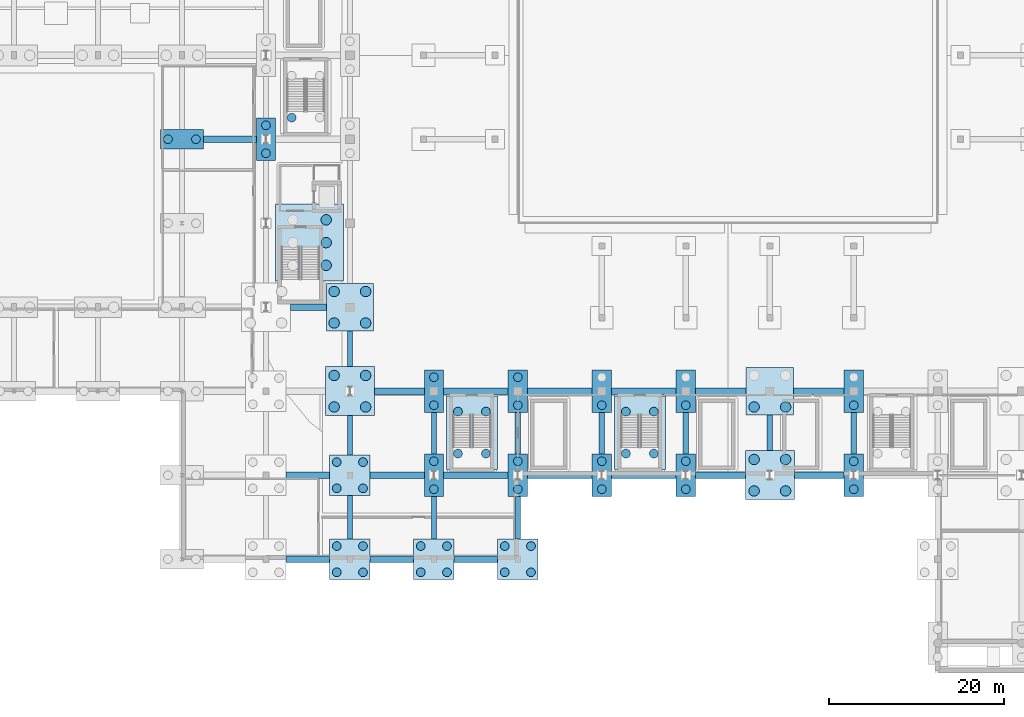
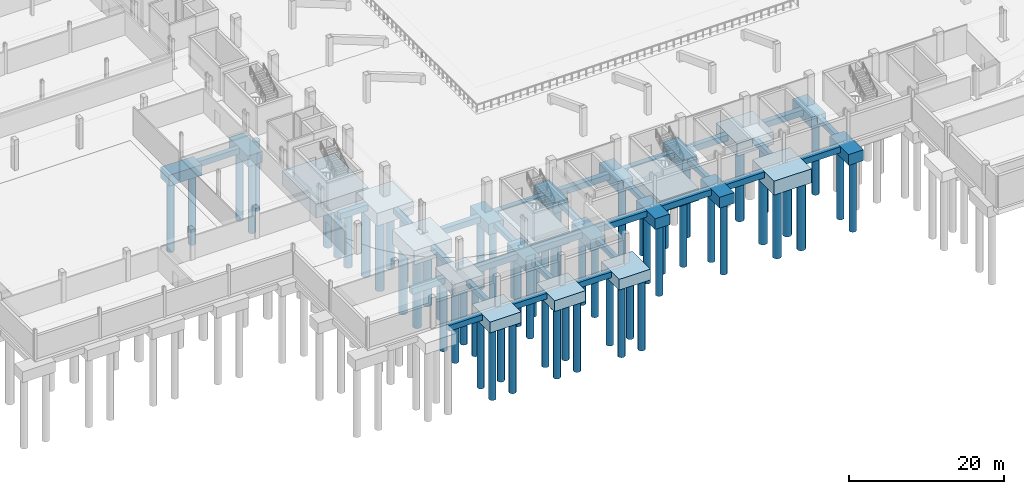
# One storey, part 2 of 67: 63 piles, 52 footings.
"""IFC4 building model written with IfcOpenShell, lengths in metres."""

from ifc_helpers import new_model, si_unit, direction, frame, origin, origin_2d, place, context, subcontext, project, spatial, polyline, rectangle, circle, outline, extrude, material, material_profile, profile_set, type_object, element, save


model = new_model("IFC4")

# Units and contexts
model_context = context("Model", 3, precision=1e-05, world=origin(), true_north=direction((0.0, 1.0)))
body_context = subcontext(model_context, "Body", "Model", "MODEL_VIEW")
ifc_project = project(units=[si_unit("LENGTHUNIT", "METRE"), si_unit("AREAUNIT", "SQUARE_METRE"), si_unit("VOLUMEUNIT", "CUBIC_METRE"), si_unit("PLANEANGLEUNIT", "RADIAN"), si_unit("MASSUNIT", "GRAM", prefix="KILO")], contexts=[model_context])

# Site, building, storey
site_placement = place(None, origin())
site = spatial("IfcSite", under=ifc_project, at=site_placement, CompositionType="ELEMENT")
building_placement = place(site_placement, origin())
building = spatial("IfcBuilding", under=site, at=building_placement, Name="Caelomonte Colonnade Arena", CompositionType="ELEMENT")
storey_placement = place(building_placement, frame((0.0, 0.0, -4.800048828125)))
storey = spatial("IfcBuildingStorey", under=building, at=storey_placement, Name="B1", CompositionType="ELEMENT", Elevation=-4.800048828125)

# Footings
ifc_material = material(Name="Concrete C40/50", Category="concrete")
footing_type_1 = type_object("IfcFootingType", Name="STR-FB-GB01", PredefinedType="FOOTING_BEAM", material=ifc_material)
footing_1_placement = place(storey_placement, frame((0.0, 0.0, -1.39990234375)))
element("IfcFooting", 1, at=footing_1_placement, inside=storey, type_object=footing_type_1, Name="Ground tie beam X (57.6..67.2, Y=19.2)", PredefinedType="FOOTING_BEAM", context=body_context, shape_type="SweptSolid", body=[
    extrude(outline(polyline([(59.919921875, 18.824951171875), (64.8798828125, 18.824951171875), (64.8798828125, 19.574951171875), (59.919921875, 19.574951171875), (59.919921875, 18.824951171875)])), origin(), (0.0, 0.0, 1.0), 0.949951171875),
])
footing_2_placement = place(storey_placement, frame((0.0, 0.0, -1.39990234375)))
element("IfcFooting", 2, at=footing_2_placement, inside=storey, type_object=footing_type_1, Name="Ground tie beam X (67.2..76.8, Y=19.2)", PredefinedType="FOOTING_BEAM", context=body_context, shape_type="SweptSolid", body=[
    extrude(outline(polyline([(69.52001953125, 18.824951171875), (75.699951171875, 18.824951171875), (75.699951171875, 19.574951171875), (69.52001953125, 19.574951171875), (69.52001953125, 18.824951171875)])), origin(), (0.0, 0.0, 1.0), 0.949951171875),
])
footing_3_placement = place(storey_placement, frame((0.0, 0.0, -1.39990234375)))
element("IfcFooting", 3, at=footing_3_placement, inside=storey, type_object=footing_type_1, Name="Ground tie beam X (76.8..86.4, Y=19.2)", PredefinedType="FOOTING_BEAM", context=body_context, shape_type="SweptSolid", body=[
    extrude(outline(polyline([(77.89990234375, 18.824951171875), (85.300048828125, 18.824951171875), (85.300048828125, 19.574951171875), (77.89990234375, 19.574951171875), (77.89990234375, 18.824951171875)])), origin(), (0.0, 0.0, 1.0), 0.949951171875),
])
footing_4_placement = place(storey_placement, frame((0.0, 0.0, -1.39990234375)))
element("IfcFooting", 4, at=footing_4_placement, inside=storey, type_object=footing_type_1, Name="Ground tie beam X (86.4..96.0, Y=19.2)", PredefinedType="FOOTING_BEAM", context=body_context, shape_type="SweptSolid", body=[
    extrude(outline(polyline([(87.5, 18.824951171875), (94.89990234375, 18.824951171875), (94.89990234375, 19.574951171875), (87.5, 19.574951171875), (87.5, 18.824951171875)])), origin(), (0.0, 0.0, 1.0), 0.949951171875),
])
footing_5_placement = place(storey_placement, frame((0.0, 0.0, -1.39990234375)))
element("IfcFooting", 5, at=footing_5_placement, inside=storey, type_object=footing_type_1, Name="Ground tie beam X (96.0..105.6, Y=19.2)", PredefinedType="FOOTING_BEAM", context=body_context, shape_type="SweptSolid", body=[
    extrude(outline(polyline([(97.10009765625, 18.824951171875), (104.5, 18.824951171875), (104.5, 19.574951171875), (97.10009765625, 19.574951171875), (97.10009765625, 18.824951171875)])), origin(), (0.0, 0.0, 1.0), 0.949951171875),
])
footing_6_placement = place(storey_placement, frame((0.0, 0.0, -1.39990234375)))
element("IfcFooting", 6, at=footing_6_placement, inside=storey, type_object=footing_type_1, Name="Ground tie beam X (105.6..115.2, Y=19.2)", PredefinedType="FOOTING_BEAM", context=body_context, shape_type="SweptSolid", body=[
    extrude(outline(polyline([(106.699951171875, 18.824951171875), (112.39990234375, 18.824951171875), (112.39990234375, 19.574951171875), (106.699951171875, 19.574951171875), (106.699951171875, 18.824951171875)])), origin(), (0.0, 0.0, 1.0), 0.949951171875),
])
footing_7_placement = place(storey_placement, frame((0.0, 0.0, -1.39990234375)))
element("IfcFooting", 7, at=footing_7_placement, inside=storey, type_object=footing_type_1, Name="Ground tie beam X (115.2..124.8, Y=19.2)", PredefinedType="FOOTING_BEAM", context=body_context, shape_type="SweptSolid", body=[
    extrude(outline(polyline([(118.0, 18.824951171875), (123.699951171875, 18.824951171875), (123.699951171875, 19.574951171875), (118.0, 19.574951171875), (118.0, 18.824951171875)])), origin(), (0.0, 0.0, 1.0), 0.949951171875),
])
footing_8_placement = place(storey_placement, frame((0.0, 0.0, -1.39990234375)))
element("IfcFooting", 8, at=footing_8_placement, inside=storey, type_object=footing_type_1, Name="Ground tie beam X (67.2..76.8, Y=28.8)", PredefinedType="FOOTING_BEAM", context=body_context, shape_type="SweptSolid", body=[
    extrude(outline(polyline([(70.0, 28.425048828125), (75.699951171875, 28.425048828125), (75.699951171875, 29.175048828125), (70.0, 29.175048828125), (70.0, 28.425048828125)])), origin(), (0.0, 0.0, 1.0), 0.949951171875),
])
footing_9_placement = place(storey_placement, frame((0.0, 0.0, -1.39990234375)))
element("IfcFooting", 9, at=footing_9_placement, inside=storey, type_object=footing_type_1, Name="Ground tie beam X (76.8..86.4, Y=28.8)", PredefinedType="FOOTING_BEAM", context=body_context, shape_type="SweptSolid", body=[
    extrude(outline(polyline([(77.89990234375, 28.425048828125), (85.300048828125, 28.425048828125), (85.300048828125, 29.175048828125), (77.89990234375, 29.175048828125), (77.89990234375, 28.425048828125)])), origin(), (0.0, 0.0, 1.0), 0.949951171875),
])
footing_10_placement = place(storey_placement, frame((0.0, 0.0, -1.39990234375)))
element("IfcFooting", 10, at=footing_10_placement, inside=storey, type_object=footing_type_1, Name="Ground tie beam X (86.4..96.0, Y=28.8)", PredefinedType="FOOTING_BEAM", context=body_context, shape_type="SweptSolid", body=[
    extrude(outline(polyline([(87.5, 28.425048828125), (94.89990234375, 28.425048828125), (94.89990234375, 29.175048828125), (87.5, 29.175048828125), (87.5, 28.425048828125)])), origin(), (0.0, 0.0, 1.0), 0.949951171875),
])
footing_11_placement = place(storey_placement, frame((0.0, 0.0, -1.39990234375)))
element("IfcFooting", 11, at=footing_11_placement, inside=storey, type_object=footing_type_1, Name="Ground tie beam X (96.0..105.6, Y=28.8)", PredefinedType="FOOTING_BEAM", context=body_context, shape_type="SweptSolid", body=[
    extrude(outline(polyline([(97.10009765625, 28.425048828125), (104.5, 28.425048828125), (104.5, 29.175048828125), (97.10009765625, 29.175048828125), (97.10009765625, 28.425048828125)])), origin(), (0.0, 0.0, 1.0), 0.949951171875),
])
footing_12_placement = place(storey_placement, frame((0.0, 0.0, -1.39990234375)))
element("IfcFooting", 12, at=footing_12_placement, inside=storey, type_object=footing_type_1, Name="Ground tie beam X (105.6..115.2, Y=28.8)", PredefinedType="FOOTING_BEAM", context=body_context, shape_type="SweptSolid", body=[
    extrude(outline(polyline([(106.699951171875, 28.425048828125), (112.5, 28.425048828125), (112.5, 29.175048828125), (106.699951171875, 29.175048828125), (106.699951171875, 28.425048828125)])), origin(), (0.0, 0.0, 1.0), 0.949951171875),
])
footing_13_placement = place(storey_placement, frame((0.0, 0.0, -1.39990234375)))
element("IfcFooting", 13, at=footing_13_placement, inside=storey, type_object=footing_type_1, Name="Ground tie beam X (115.2..124.8, Y=28.8)", PredefinedType="FOOTING_BEAM", context=body_context, shape_type="SweptSolid", body=[
    extrude(outline(polyline([(117.89990234375, 28.425048828125), (123.699951171875, 28.425048828125), (123.699951171875, 29.175048828125), (117.89990234375, 29.175048828125), (117.89990234375, 28.425048828125)])), origin(), (0.0, 0.0, 1.0), 0.949951171875),
])
footing_14_placement = place(storey_placement, frame((0.0, 0.0, -1.39990234375)))
element("IfcFooting", 14, at=footing_14_placement, inside=storey, type_object=footing_type_1, Name="Ground tie beam X (57.6..67.2, Y=38.4)", PredefinedType="FOOTING_BEAM", context=body_context, shape_type="SweptSolid", body=[
    extrude(outline(polyline([(60.39990234375, 38.02490234375), (64.5, 38.02490234375), (64.5, 38.77490234375), (60.39990234375, 38.77490234375), (60.39990234375, 38.02490234375)])), origin(), (0.0, 0.0, 1.0), 0.949951171875),
])
footing_type_2 = type_object("IfcFootingType", Name="STR-FB-GB02", PredefinedType="FOOTING_BEAM", material=ifc_material)
footing_15_placement = place(storey_placement, frame((0.0, 0.0, -1.349853515625)))
element("IfcFooting", 15, at=footing_15_placement, inside=storey, type_object=footing_type_2, Name="Ground tie beam X (57.6..67.2, Y=9.6)", PredefinedType="FOOTING_BEAM", context=body_context, shape_type="SweptSolid", body=[
    extrude(outline(polyline([(59.919921875, 9.25), (64.8798828125, 9.25), (64.8798828125, 9.949951171875), (59.919921875, 9.949951171875), (59.919921875, 9.25)])), origin(), (0.0, 0.0, 1.0), 0.89990234375),
])
footing_16_placement = place(storey_placement, frame((0.0, 0.0, -1.349853515625)))
element("IfcFooting", 16, at=footing_16_placement, inside=storey, type_object=footing_type_2, Name="Ground tie beam X (67.2..76.8, Y=9.6)", PredefinedType="FOOTING_BEAM", context=body_context, shape_type="SweptSolid", body=[
    extrude(outline(polyline([(69.52001953125, 9.25), (74.47998046875, 9.25), (74.47998046875, 9.949951171875), (69.52001953125, 9.949951171875), (69.52001953125, 9.25)])), origin(), (0.0, 0.0, 1.0), 0.89990234375),
])
footing_17_placement = place(storey_placement, frame((0.0, 0.0, -1.349853515625)))
element("IfcFooting", 17, at=footing_17_placement, inside=storey, type_object=footing_type_2, Name="Ground tie beam X (76.8..86.4, Y=9.6)", PredefinedType="FOOTING_BEAM", context=body_context, shape_type="SweptSolid", body=[
    extrude(outline(polyline([(79.1201171875, 9.25), (84.080078125, 9.25), (84.080078125, 9.949951171875), (79.1201171875, 9.949951171875), (79.1201171875, 9.25)])), origin(), (0.0, 0.0, 1.0), 0.89990234375),
])
footing_18_placement = place(storey_placement, frame((0.0, 0.0, -1.349853515625)))
element("IfcFooting", 18, at=footing_18_placement, inside=storey, type_object=footing_type_2, Name="Ground tie beam X (48.0..57.6, Y=57.6)", PredefinedType="FOOTING_BEAM", context=body_context, shape_type="SweptSolid", body=[
    extrude(outline(polyline([(50.43994140625, 57.25), (56.5, 57.25), (56.5, 57.949951171875), (50.43994140625, 57.949951171875), (50.43994140625, 57.25)])), origin(), (0.0, 0.0, 1.0), 0.89990234375),
])
footing_type_3 = type_object("IfcFootingType", Name="STR-FB-GB04", PredefinedType="FOOTING_BEAM", material=ifc_material)
footing_19_placement = place(storey_placement, frame((0.0, 0.0, -1.25)))
element("IfcFooting", 19, at=footing_19_placement, inside=storey, type_object=footing_type_3, Name="Ground tie beam Y (X=67.2, 9.6..19.2)", PredefinedType="FOOTING_BEAM", context=body_context, shape_type="SweptSolid", body=[
    extrude(outline(polyline([(66.89990234375, 11.919921875), (67.5, 11.919921875), (67.5, 16.8798828125), (66.89990234375, 16.8798828125), (66.89990234375, 11.919921875)])), origin(), (0.0, 0.0, 1.0), 0.800048828125),
])
footing_20_placement = place(storey_placement, frame((0.0, 0.0, -1.25)))
element("IfcFooting", 20, at=footing_20_placement, inside=storey, type_object=footing_type_3, Name="Ground tie beam Y (X=67.2, 19.2..28.8)", PredefinedType="FOOTING_BEAM", context=body_context, shape_type="SweptSolid", body=[
    extrude(outline(polyline([(66.89990234375, 21.52001953125), (67.5, 21.52001953125), (67.5, 26.0), (66.89990234375, 26.0), (66.89990234375, 21.52001953125)])), origin(), (0.0, 0.0, 1.0), 0.800048828125),
])
footing_21_placement = place(storey_placement, frame((0.0, 0.0, -1.25)))
element("IfcFooting", 21, at=footing_21_placement, inside=storey, type_object=footing_type_3, Name="Ground tie beam Y (X=67.2, 28.8..38.4)", PredefinedType="FOOTING_BEAM", context=body_context, shape_type="SweptSolid", body=[
    extrude(outline(polyline([(66.89990234375, 31.60009765625), (67.5, 31.60009765625), (67.5, 35.699951171875), (66.89990234375, 35.699951171875), (66.89990234375, 31.60009765625)])), origin(), (0.0, 0.0, 1.0), 0.800048828125),
])
footing_22_placement = place(storey_placement, frame((0.0, 0.0, -1.25)))
element("IfcFooting", 22, at=footing_22_placement, inside=storey, type_object=footing_type_3, Name="Ground tie beam Y (X=76.8, 9.6..19.2)", PredefinedType="FOOTING_BEAM", context=body_context, shape_type="SweptSolid", body=[
    extrude(outline(polyline([(76.5, 11.919921875), (77.10009765625, 11.919921875), (77.10009765625, 16.760009765625), (76.5, 16.760009765625), (76.5, 11.919921875)])), origin(), (0.0, 0.0, 1.0), 0.800048828125),
])
footing_23_placement = place(storey_placement, frame((0.0, 0.0, -1.25)))
element("IfcFooting", 23, at=footing_23_placement, inside=storey, type_object=footing_type_3, Name="Ground tie beam Y (X=76.8, 19.2..28.8)", PredefinedType="FOOTING_BEAM", context=body_context, shape_type="SweptSolid", body=[
    extrude(outline(polyline([(76.5, 21.639892578125), (77.10009765625, 21.639892578125), (77.10009765625, 26.360107421875), (76.5, 26.360107421875), (76.5, 21.639892578125)])), origin(), (0.0, 0.0, 1.0), 0.800048828125),
])
footing_24_placement = place(storey_placement, frame((0.0, 0.0, -1.25)))
element("IfcFooting", 24, at=footing_24_placement, inside=storey, type_object=footing_type_3, Name="Ground tie beam Y (X=86.4, 9.6..19.2)", PredefinedType="FOOTING_BEAM", context=body_context, shape_type="SweptSolid", body=[
    extrude(outline(polyline([(86.10009765625, 11.919921875), (86.699951171875, 11.919921875), (86.699951171875, 16.760009765625), (86.10009765625, 16.760009765625), (86.10009765625, 11.919921875)])), origin(), (0.0, 0.0, 1.0), 0.800048828125),
])
footing_25_placement = place(storey_placement, frame((0.0, 0.0, -1.25)))
element("IfcFooting", 25, at=footing_25_placement, inside=storey, type_object=footing_type_3, Name="Ground tie beam Y (X=86.4, 19.2..28.8)", PredefinedType="FOOTING_BEAM", context=body_context, shape_type="SweptSolid", body=[
    extrude(outline(polyline([(86.10009765625, 21.639892578125), (86.699951171875, 21.639892578125), (86.699951171875, 26.360107421875), (86.10009765625, 26.360107421875), (86.10009765625, 21.639892578125)])), origin(), (0.0, 0.0, 1.0), 0.800048828125),
])
footing_26_placement = place(storey_placement, frame((0.0, 0.0, -1.25)))
element("IfcFooting", 26, at=footing_26_placement, inside=storey, type_object=footing_type_3, Name="Ground tie beam Y (X=96.0, 19.2..28.8)", PredefinedType="FOOTING_BEAM", context=body_context, shape_type="SweptSolid", body=[
    extrude(outline(polyline([(95.699951171875, 21.639892578125), (96.300048828125, 21.639892578125), (96.300048828125, 26.360107421875), (95.699951171875, 26.360107421875), (95.699951171875, 21.639892578125)])), origin(), (0.0, 0.0, 1.0), 0.800048828125),
])
footing_27_placement = place(storey_placement, frame((0.0, 0.0, -1.25)))
element("IfcFooting", 27, at=footing_27_placement, inside=storey, type_object=footing_type_3, Name="Ground tie beam Y (X=105.6, 19.2..28.8)", PredefinedType="FOOTING_BEAM", context=body_context, shape_type="SweptSolid", body=[
    extrude(outline(polyline([(105.300048828125, 21.639892578125), (105.89990234375, 21.639892578125), (105.89990234375, 26.360107421875), (105.300048828125, 26.360107421875), (105.300048828125, 21.639892578125)])), origin(), (0.0, 0.0, 1.0), 0.800048828125),
])
footing_28_placement = place(storey_placement, frame((0.0, 0.0, -1.25)))
element("IfcFooting", 28, at=footing_28_placement, inside=storey, type_object=footing_type_3, Name="Ground tie beam Y (X=115.2, 19.2..28.8)", PredefinedType="FOOTING_BEAM", context=body_context, shape_type="SweptSolid", body=[
    extrude(outline(polyline([(114.89990234375, 22.0), (115.5, 22.0), (115.5, 26.10009765625), (114.89990234375, 26.10009765625), (114.89990234375, 22.0)])), origin(), (0.0, 0.0, 1.0), 0.800048828125),
])
footing_29_placement = place(storey_placement, frame((0.0, 0.0, -1.25)))
element("IfcFooting", 29, at=footing_29_placement, inside=storey, type_object=footing_type_3, Name="Ground tie beam Y (X=124.8, 19.2..28.8)", PredefinedType="FOOTING_BEAM", context=body_context, shape_type="SweptSolid", body=[
    extrude(outline(polyline([(124.5, 21.639892578125), (125.10009765625, 21.639892578125), (125.10009765625, 26.360107421875), (124.5, 26.360107421875), (124.5, 21.639892578125)])), origin(), (0.0, 0.0, 1.0), 0.800048828125),
])
footing_type_4 = type_object("IfcFootingType", Name="STR-FC-PC01", PredefinedType="PILE_CAP", material=ifc_material)
for number, where, z_axis, x_axis, name in (
    (30, (67.199951171875, 28.800048828125, -2.64990234375), (0.0, 0.0, 1.0), (1.0, 0.0, 0.0), "Pile cap FC-0672-0288"),
    (31, (115.199951171875, 19.199951171875, -2.64990234375), (0.0, 0.0, 1.0), (1.0, 0.0, 0.0), "Pile cap FC-1152-0192"),
):
    element("IfcFooting", number, at=place(storey_placement, frame(where, z_axis=z_axis, x_axis=x_axis)), inside=storey, type_object=footing_type_4, Name=name, PredefinedType="PILE_CAP", context=body_context, shape_type="SweptSolid", body=[
        extrude(rectangle(XDim=5.60009765625, YDim=5.60009765625, at=origin_2d()), origin(), (0.0, 0.0, 1.0), 2.199951171875),
    ])
footing_type_5 = type_object("IfcFootingType", Name="STR-FC-PC02", PredefinedType="PILE_CAP", material=ifc_material)
for number, where, z_axis, x_axis, name in (
    (32, (67.199951171875, 38.39990234375, -2.449951171875), (0.0, 0.0, 1.0), (1.0, 0.0, 0.0), "Pile cap FC-0672-0384"),
    (33, (115.199951171875, 28.800048828125, -2.449951171875), (0.0, 0.0, 1.0), (1.0, 0.0, 0.0), "Pile cap FC-1152-0288"),
):
    element("IfcFooting", number, at=place(storey_placement, frame(where, z_axis=z_axis, x_axis=x_axis)), inside=storey, type_object=footing_type_5, Name=name, PredefinedType="PILE_CAP", context=body_context, shape_type="SweptSolid", body=[
        extrude(rectangle(XDim=5.39990234375, YDim=5.39990234375, at=origin_2d()), origin(), (0.0, 0.0, 1.0), 2.0),
    ])
footing_type_6 = type_object("IfcFootingType", Name="STR-FC-PC05", PredefinedType="PILE_CAP", material=ifc_material)
for number, where, z_axis, x_axis, name in (
    (34, (67.199951171875, 9.60009765625, -2.14990234375), (0.0, 0.0, 1.0), (1.0, 0.0, 0.0), "Pile cap FC-0672-0096"),
    (35, (67.199951171875, 19.199951171875, -2.14990234375), (0.0, 0.0, 1.0), (1.0, 0.0, 0.0), "Pile cap FC-0672-0192"),
    (36, (76.800048828125, 9.60009765625, -2.14990234375), (0.0, 0.0, 1.0), (1.0, 0.0, 0.0), "Pile cap FC-0768-0096"),
    (37, (86.39990234375, 9.60009765625, -2.14990234375), (0.0, 0.0, 1.0), (1.0, 0.0, 0.0), "Pile cap FC-0864-0096"),
):
    element("IfcFooting", number, at=place(storey_placement, frame(where, z_axis=z_axis, x_axis=x_axis)), inside=storey, type_object=footing_type_6, Name=name, PredefinedType="PILE_CAP", context=body_context, shape_type="SweptSolid", body=[
        extrude(rectangle(XDim=4.639892578125, YDim=4.639892578125, at=origin_2d()), origin(), (0.0, 0.0, 1.0), 1.699951171875),
    ])
footing_type_7 = type_object("IfcFootingType", Name="STR-FC-PC06", PredefinedType="PILE_CAP", material=ifc_material)
footing_30_placement = place(storey_placement, frame((48.0, 57.60009765625, -2.14990234375), z_axis=(0.0, 0.0, 1.0), x_axis=(1.0, 0.0, 0.0)))
element("IfcFooting", 38, at=footing_30_placement, inside=storey, type_object=footing_type_7, Name="Pile cap FC-0480-0576", PredefinedType="PILE_CAP", context=body_context, shape_type="SweptSolid", body=[
    extrude(rectangle(XDim=4.8798828125, YDim=2.199951171875, at=origin_2d()), origin(), (0.0, 0.0, 1.0), 1.699951171875),
])
footing_type_8 = type_object("IfcFootingType", Name="STR-FC-PC07", PredefinedType="PILE_CAP", material=ifc_material)
for number, where, z_axis, x_axis, name in (
    (39, (57.60009765625, 57.60009765625, -2.14990234375), (0.0, 0.0, 1.0), (1.0, 0.0, 0.0), "Pile cap FC-0576-0576"),
    (40, (76.800048828125, 19.199951171875, -2.14990234375), (0.0, 0.0, 1.0), (1.0, 0.0, 0.0), "Pile cap FC-0768-0192"),
    (41, (76.800048828125, 28.800048828125, -2.14990234375), (0.0, 0.0, 1.0), (1.0, 0.0, 0.0), "Pile cap FC-0768-0288"),
    (42, (86.39990234375, 19.199951171875, -2.14990234375), (0.0, 0.0, 1.0), (1.0, 0.0, 0.0), "Pile cap FC-0864-0192"),
    (43, (86.39990234375, 28.800048828125, -2.14990234375), (0.0, 0.0, 1.0), (1.0, 0.0, 0.0), "Pile cap FC-0864-0288"),
    (44, (96.0, 19.199951171875, -2.14990234375), (0.0, 0.0, 1.0), (1.0, 0.0, 0.0), "Pile cap FC-0960-0192"),
    (45, (96.0, 28.800048828125, -2.14990234375), (0.0, 0.0, 1.0), (1.0, 0.0, 0.0), "Pile cap FC-0960-0288"),
    (46, (105.60009765625, 19.199951171875, -2.14990234375), (0.0, 0.0, 1.0), (1.0, 0.0, 0.0), "Pile cap FC-1056-0192"),
    (47, (105.60009765625, 28.800048828125, -2.14990234375), (0.0, 0.0, 1.0), (1.0, 0.0, 0.0), "Pile cap FC-1056-0288"),
    (48, (124.800048828125, 19.199951171875, -2.14990234375), (0.0, 0.0, 1.0), (1.0, 0.0, 0.0), "Pile cap FC-1248-0192"),
    (49, (124.800048828125, 28.800048828125, -2.14990234375), (0.0, 0.0, 1.0), (1.0, 0.0, 0.0), "Pile cap FC-1248-0288"),
):
    element("IfcFooting", number, at=place(storey_placement, frame(where, z_axis=z_axis, x_axis=x_axis)), inside=storey, type_object=footing_type_8, Name=name, PredefinedType="PILE_CAP", context=body_context, shape_type="SweptSolid", body=[
        extrude(rectangle(XDim=2.199951171875, YDim=4.8798828125, at=origin_2d()), origin(), (0.0, 0.0, 1.0), 1.699951171875),
    ])
footing_type_9 = type_object("IfcFootingType", Name="STR-FC-PC10", PredefinedType="PILE_CAP", material=ifc_material)
footing_31_placement = place(storey_placement, frame((62.58740234375, 45.78759765625, -2.64990234375), z_axis=(0.0, 0.0, 1.0), x_axis=(1.0, 0.0, 0.0)))
element("IfcFooting", 50, at=footing_31_placement, inside=storey, type_object=footing_type_9, Name="Core C1 pile cap", PredefinedType="PILE_CAP", context=body_context, shape_type="SweptSolid", body=[
    extrude(rectangle(XDim=7.800048828125, YDim=8.800048828125, at=origin_2d()), origin(), (0.0, 0.0, 1.0), 2.199951171875),
])
footing_type_10 = type_object("IfcFootingType", Name="STR-FC-PC12", PredefinedType="PILE_CAP", material=ifc_material)
for number, where, z_axis, x_axis, name in (
    (51, (81.14990234375, 24.074951171875, -2.349853515625), (0.0, 0.0, 1.0), (1.0, 0.0, 0.0), "Exit stair ST-11 pile cap"),
    (52, (100.35009765625, 24.074951171875, -2.349853515625), (0.0, 0.0, 1.0), (1.0, 0.0, 0.0), "Exit stair ST-12 pile cap"),
):
    element("IfcFooting", number, at=place(storey_placement, frame(where, z_axis=z_axis, x_axis=x_axis)), inside=storey, type_object=footing_type_10, Name=name, PredefinedType="PILE_CAP", context=body_context, shape_type="SweptSolid", body=[
        extrude(rectangle(XDim=5.800048828125, YDim=8.39990234375, at=origin_2d()), origin(), (0.0, 0.0, 1.0), 1.89990234375),
    ])

# Piles
ifc_material_profile_1 = material_profile(ifc_material, circle(Radius=0.5, at=origin_2d()), Name="PILE-D1000")
ifc_profile_set_1 = profile_set([ifc_material_profile_1], Name="Concrete C40/50")
pile_type_1 = type_object("IfcPileType", Name="STR-PL-D1000", PredefinedType="BORED", material=ifc_profile_set_1)
for number, where, z_axis, x_axis, name in (
    (53, (60.550048828125, 60.074951171875, -2.25), (0.0, 0.0, -1.0), (1.0, 0.0, 0.0), "Stair ST-09 rock-socketed pile 1"),
    (54, (79.550048828125, 21.675048828125, -2.25), (0.0, 0.0, -1.0), (1.0, 0.0, 0.0), "Stair ST-11 rock-socketed pile 1"),
    (55, (79.550048828125, 26.47509765625, -2.25), (0.0, 0.0, -1.0), (1.0, 0.0, 0.0), "Stair ST-11 rock-socketed pile 2"),
    (56, (82.75, 21.675048828125, -2.25), (0.0, 0.0, -1.0), (1.0, 0.0, 0.0), "Stair ST-11 rock-socketed pile 3"),
    (57, (82.75, 26.47509765625, -2.25), (0.0, 0.0, -1.0), (1.0, 0.0, 0.0), "Stair ST-11 rock-socketed pile 4"),
    (58, (98.75, 21.675048828125, -2.25), (0.0, 0.0, -1.0), (1.0, 0.0, 0.0), "Stair ST-12 rock-socketed pile 1"),
    (59, (98.75, 26.47509765625, -2.25), (0.0, 0.0, -1.0), (1.0, 0.0, 0.0), "Stair ST-12 rock-socketed pile 2"),
    (60, (101.949951171875, 21.675048828125, -2.25), (0.0, 0.0, -1.0), (1.0, 0.0, 0.0), "Stair ST-12 rock-socketed pile 3"),
    (61, (101.949951171875, 26.47509765625, -2.25), (0.0, 0.0, -1.0), (1.0, 0.0, 0.0), "Stair ST-12 rock-socketed pile 4"),
):
    element("IfcPile", number, at=place(storey_placement, frame(where, z_axis=z_axis, x_axis=x_axis)), inside=storey, type_object=pile_type_1, Name=name, PredefinedType="BORED", context=body_context, shape_type="SweptSolid", body=[
        extrude(circle(Radius=0.5, at=origin_2d()), origin(), (0.0, 0.0, 1.0), 10.949951171875),
    ])
for number, where, z_axis, x_axis, name in (
    (62, (46.39990234375, 57.60009765625, -2.050048828125), (0.0, 0.0, -1.0), (1.0, 0.0, 0.0), "Rock-socketed bored pile FC-0480-0576-1"),
    (63, (49.60009765625, 57.60009765625, -2.050048828125), (0.0, 0.0, -1.0), (1.0, 0.0, 0.0), "Rock-socketed bored pile FC-0480-0576-2"),
    (64, (57.60009765625, 56.0, -2.050048828125), (0.0, 0.0, -1.0), (1.0, 0.0, 0.0), "Rock-socketed bored pile FC-0576-0576-1"),
    (65, (57.60009765625, 59.199951171875, -2.050048828125), (0.0, 0.0, -1.0), (1.0, 0.0, 0.0), "Rock-socketed bored pile FC-0576-0576-2"),
    (66, (65.699951171875, 8.10009765625, -2.050048828125), (0.0, 0.0, -1.0), (1.0, 0.0, 0.0), "Rock-socketed bored pile FC-0672-0096-1"),
    (67, (68.699951171875, 8.10009765625, -2.050048828125), (0.0, 0.0, -1.0), (1.0, 0.0, 0.0), "Rock-socketed bored pile FC-0672-0096-2"),
    (68, (65.699951171875, 11.10009765625, -2.050048828125), (0.0, 0.0, -1.0), (1.0, 0.0, 0.0), "Rock-socketed bored pile FC-0672-0096-3"),
    (69, (68.699951171875, 11.10009765625, -2.050048828125), (0.0, 0.0, -1.0), (1.0, 0.0, 0.0), "Rock-socketed bored pile FC-0672-0096-4"),
    (70, (65.699951171875, 17.699951171875, -2.050048828125), (0.0, 0.0, -1.0), (1.0, 0.0, 0.0), "Rock-socketed bored pile FC-0672-0192-1"),
    (71, (68.699951171875, 17.699951171875, -2.050048828125), (0.0, 0.0, -1.0), (1.0, 0.0, 0.0), "Rock-socketed bored pile FC-0672-0192-2"),
    (72, (65.699951171875, 20.699951171875, -2.050048828125), (0.0, 0.0, -1.0), (1.0, 0.0, 0.0), "Rock-socketed bored pile FC-0672-0192-3"),
    (73, (68.699951171875, 20.699951171875, -2.050048828125), (0.0, 0.0, -1.0), (1.0, 0.0, 0.0), "Rock-socketed bored pile FC-0672-0192-4"),
    (74, (75.300048828125, 8.10009765625, -2.050048828125), (0.0, 0.0, -1.0), (1.0, 0.0, 0.0), "Rock-socketed bored pile FC-0768-0096-1"),
    (75, (78.300048828125, 8.10009765625, -2.050048828125), (0.0, 0.0, -1.0), (1.0, 0.0, 0.0), "Rock-socketed bored pile FC-0768-0096-2"),
    (76, (75.300048828125, 11.10009765625, -2.050048828125), (0.0, 0.0, -1.0), (1.0, 0.0, 0.0), "Rock-socketed bored pile FC-0768-0096-3"),
    (77, (78.300048828125, 11.10009765625, -2.050048828125), (0.0, 0.0, -1.0), (1.0, 0.0, 0.0), "Rock-socketed bored pile FC-0768-0096-4"),
    (78, (76.800048828125, 17.60009765625, -2.050048828125), (0.0, 0.0, -1.0), (1.0, 0.0, 0.0), "Rock-socketed bored pile FC-0768-0192-1"),
    (79, (76.800048828125, 20.800048828125, -2.050048828125), (0.0, 0.0, -1.0), (1.0, 0.0, 0.0), "Rock-socketed bored pile FC-0768-0192-2"),
    (80, (76.800048828125, 27.199951171875, -2.050048828125), (0.0, 0.0, -1.0), (1.0, 0.0, 0.0), "Rock-socketed bored pile FC-0768-0288-1"),
    (81, (76.800048828125, 30.39990234375, -2.050048828125), (0.0, 0.0, -1.0), (1.0, 0.0, 0.0), "Rock-socketed bored pile FC-0768-0288-2"),
    (82, (84.89990234375, 8.10009765625, -2.050048828125), (0.0, 0.0, -1.0), (1.0, 0.0, 0.0), "Rock-socketed bored pile FC-0864-0096-1"),
    (83, (87.89990234375, 8.10009765625, -2.050048828125), (0.0, 0.0, -1.0), (1.0, 0.0, 0.0), "Rock-socketed bored pile FC-0864-0096-2"),
    (84, (84.89990234375, 11.10009765625, -2.050048828125), (0.0, 0.0, -1.0), (1.0, 0.0, 0.0), "Rock-socketed bored pile FC-0864-0096-3"),
    (85, (87.89990234375, 11.10009765625, -2.050048828125), (0.0, 0.0, -1.0), (1.0, 0.0, 0.0), "Rock-socketed bored pile FC-0864-0096-4"),
    (86, (86.39990234375, 17.60009765625, -2.050048828125), (0.0, 0.0, -1.0), (1.0, 0.0, 0.0), "Rock-socketed bored pile FC-0864-0192-1"),
    (87, (86.39990234375, 20.800048828125, -2.050048828125), (0.0, 0.0, -1.0), (1.0, 0.0, 0.0), "Rock-socketed bored pile FC-0864-0192-2"),
    (88, (86.39990234375, 27.199951171875, -2.050048828125), (0.0, 0.0, -1.0), (1.0, 0.0, 0.0), "Rock-socketed bored pile FC-0864-0288-1"),
    (89, (86.39990234375, 30.39990234375, -2.050048828125), (0.0, 0.0, -1.0), (1.0, 0.0, 0.0), "Rock-socketed bored pile FC-0864-0288-2"),
    (90, (96.0, 17.60009765625, -2.050048828125), (0.0, 0.0, -1.0), (1.0, 0.0, 0.0), "Rock-socketed bored pile FC-0960-0192-1"),
    (91, (96.0, 20.800048828125, -2.050048828125), (0.0, 0.0, -1.0), (1.0, 0.0, 0.0), "Rock-socketed bored pile FC-0960-0192-2"),
    (92, (96.0, 27.199951171875, -2.050048828125), (0.0, 0.0, -1.0), (1.0, 0.0, 0.0), "Rock-socketed bored pile FC-0960-0288-1"),
    (93, (105.60009765625, 17.60009765625, -2.050048828125), (0.0, 0.0, -1.0), (1.0, 0.0, 0.0), "Rock-socketed bored pile FC-1056-0192-1"),
    (94, (105.60009765625, 20.800048828125, -2.050048828125), (0.0, 0.0, -1.0), (1.0, 0.0, 0.0), "Rock-socketed bored pile FC-1056-0192-2"),
    (95, (105.60009765625, 27.199951171875, -2.050048828125), (0.0, 0.0, -1.0), (1.0, 0.0, 0.0), "Rock-socketed bored pile FC-1056-0288-1"),
    (96, (124.800048828125, 17.60009765625, -2.050048828125), (0.0, 0.0, -1.0), (1.0, 0.0, 0.0), "Rock-socketed bored pile FC-1248-0192-1"),
    (97, (124.800048828125, 20.800048828125, -2.050048828125), (0.0, 0.0, -1.0), (1.0, 0.0, 0.0), "Rock-socketed bored pile FC-1248-0192-2"),
    (98, (124.800048828125, 27.199951171875, -2.050048828125), (0.0, 0.0, -1.0), (1.0, 0.0, 0.0), "Rock-socketed bored pile FC-1248-0288-1"),
):
    element("IfcPile", number, at=place(storey_placement, frame(where, z_axis=z_axis, x_axis=x_axis)), inside=storey, type_object=pile_type_1, Name=name, PredefinedType="BORED", context=body_context, shape_type="SweptSolid", body=[
        extrude(circle(Radius=0.5, at=origin_2d()), origin(), (0.0, 0.0, 1.0), 11.14990234375),
    ])
ifc_material_profile_2 = material_profile(ifc_material, circle(Radius=0.60009765625, at=origin_2d()), Name="PILE-D1200")
ifc_profile_set_2 = profile_set([ifc_material_profile_2], Name="Concrete C40/50")
pile_type_2 = type_object("IfcPileType", Name="STR-PL-D1200", PredefinedType="BORED", material=ifc_profile_set_2)
for number, where, z_axis, x_axis, name in (
    (99, (64.487548828125, 43.1875, -2.550048828125), (0.0, 0.0, -1.0), (1.0, 0.0, 0.0), "Core C1 rock-socketed pile 4"),
    (100, (64.487548828125, 45.78759765625, -2.550048828125), (0.0, 0.0, -1.0), (1.0, 0.0, 0.0), "Core C1 rock-socketed pile 5"),
    (101, (64.487548828125, 48.387451171875, -2.550048828125), (0.0, 0.0, -1.0), (1.0, 0.0, 0.0), "Core C1 rock-socketed pile 6"),
    (102, (65.39990234375, 27.0, -2.550048828125), (0.0, 0.0, -1.0), (1.0, 0.0, 0.0), "Rock-socketed bored pile FC-0672-0288-1"),
    (103, (69.0, 27.0, -2.550048828125), (0.0, 0.0, -1.0), (1.0, 0.0, 0.0), "Rock-socketed bored pile FC-0672-0288-2"),
    (104, (65.39990234375, 30.60009765625, -2.550048828125), (0.0, 0.0, -1.0), (1.0, 0.0, 0.0), "Rock-socketed bored pile FC-0672-0288-3"),
    (105, (69.0, 30.60009765625, -2.550048828125), (0.0, 0.0, -1.0), (1.0, 0.0, 0.0), "Rock-socketed bored pile FC-0672-0288-4"),
):
    element("IfcPile", number, at=place(storey_placement, frame(where, z_axis=z_axis, x_axis=x_axis)), inside=storey, type_object=pile_type_2, Name=name, PredefinedType="BORED", context=body_context, shape_type="SweptSolid", body=[
        extrude(circle(Radius=0.60009765625, at=origin_2d()), origin(), (0.0, 0.0, 1.0), 10.64990234375),
    ])
for number, where, z_axis, x_axis, name in (
    (106, (65.39990234375, 36.60009765625, -2.349853515625), (0.0, 0.0, -1.0), (1.0, 0.0, 0.0), "Rock-socketed bored pile FC-0672-0384-1"),
    (107, (69.0, 36.60009765625, -2.349853515625), (0.0, 0.0, -1.0), (1.0, 0.0, 0.0), "Rock-socketed bored pile FC-0672-0384-2"),
    (108, (65.39990234375, 40.199951171875, -2.349853515625), (0.0, 0.0, -1.0), (1.0, 0.0, 0.0), "Rock-socketed bored pile FC-0672-0384-3"),
    (109, (69.0, 40.199951171875, -2.349853515625), (0.0, 0.0, -1.0), (1.0, 0.0, 0.0), "Rock-socketed bored pile FC-0672-0384-4"),
):
    element("IfcPile", number, at=place(storey_placement, frame(where, z_axis=z_axis, x_axis=x_axis)), inside=storey, type_object=pile_type_2, Name=name, PredefinedType="BORED", context=body_context, shape_type="SweptSolid", body=[
        extrude(circle(Radius=0.60009765625, at=origin_2d()), origin(), (0.0, 0.0, 1.0), 10.85009765625),
    ])
for number, where, z_axis, x_axis, name in (
    (110, (113.39990234375, 17.39990234375, -2.550048828125), (0.0, 0.0, -1.0), (1.0, 0.0, 0.0), "Rock-socketed bored pile FC-1152-0192-1"),
    (111, (117.0, 17.39990234375, -2.550048828125), (0.0, 0.0, -1.0), (1.0, 0.0, 0.0), "Rock-socketed bored pile FC-1152-0192-2"),
    (112, (113.39990234375, 21.0, -2.550048828125), (0.0, 0.0, -1.0), (1.0, 0.0, 0.0), "Rock-socketed bored pile FC-1152-0192-3"),
    (113, (117.0, 21.0, -2.550048828125), (0.0, 0.0, -1.0), (1.0, 0.0, 0.0), "Rock-socketed bored pile FC-1152-0192-4"),
):
    element("IfcPile", number, at=place(storey_placement, frame(where, z_axis=z_axis, x_axis=x_axis)), inside=storey, type_object=pile_type_2, Name=name, PredefinedType="BORED", context=body_context, shape_type="SweptSolid", body=[
        extrude(circle(Radius=0.60009765625, at=origin_2d()), origin(), (0.0, 0.0, 1.0), 10.64990234375),
    ])
for number, where, z_axis, x_axis, name in (
    (114, (113.39990234375, 27.0, -2.349853515625), (0.0, 0.0, -1.0), (1.0, 0.0, 0.0), "Rock-socketed bored pile FC-1152-0288-1"),
    (115, (117.0, 27.0, -2.349853515625), (0.0, 0.0, -1.0), (1.0, 0.0, 0.0), "Rock-socketed bored pile FC-1152-0288-2"),
):
    element("IfcPile", number, at=place(storey_placement, frame(where, z_axis=z_axis, x_axis=x_axis)), inside=storey, type_object=pile_type_2, Name=name, PredefinedType="BORED", context=body_context, shape_type="SweptSolid", body=[
        extrude(circle(Radius=0.60009765625, at=origin_2d()), origin(), (0.0, 0.0, 1.0), 10.85009765625),
    ])

save(model, "model.ifc")
